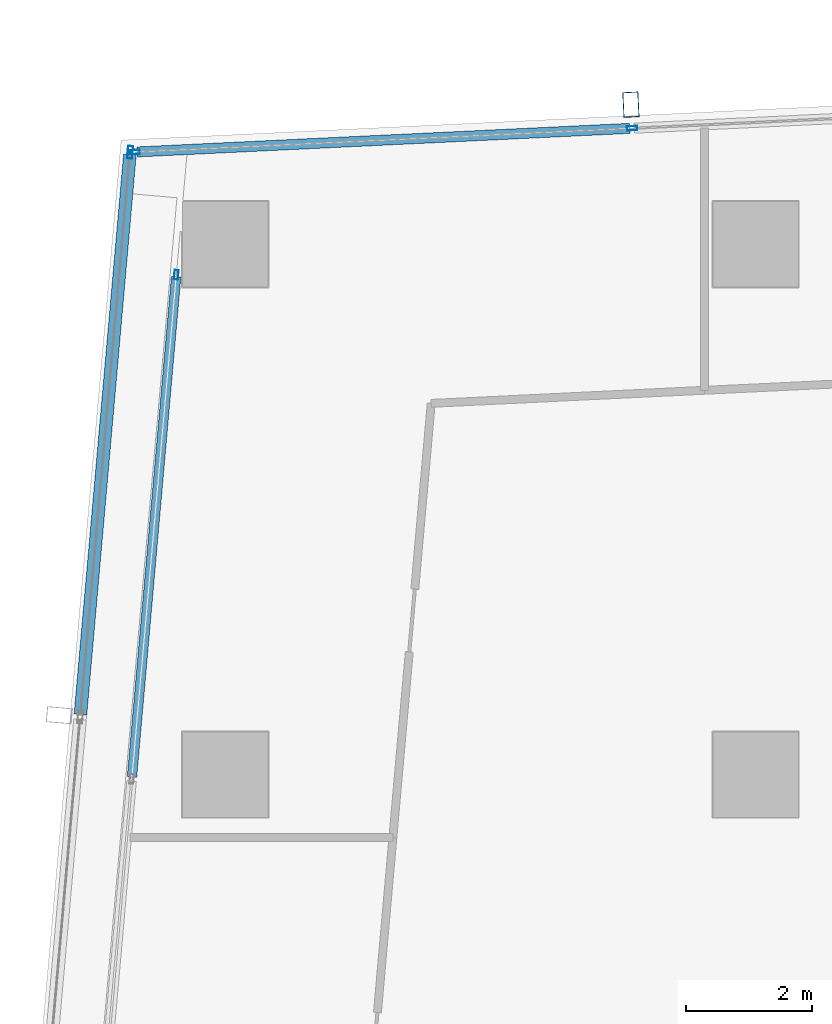
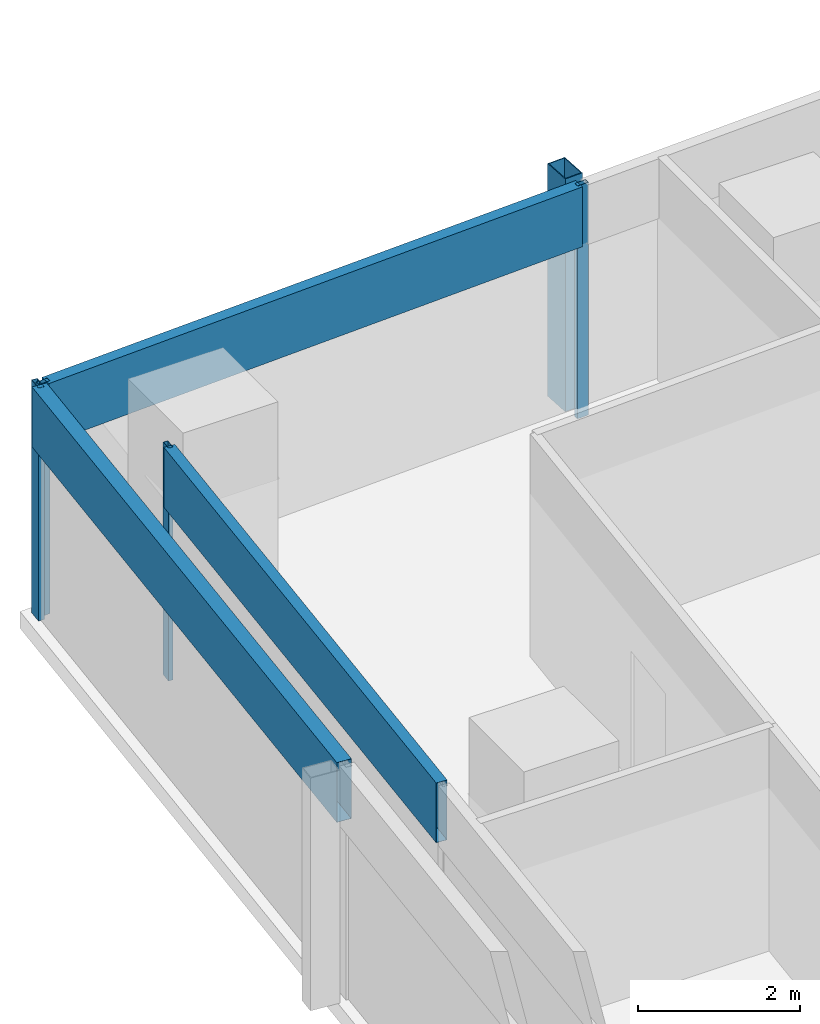
# One storey, part 14 of 33: 8 members, 3 elements without a shape of their own.
"""IFC4 building model written with IfcOpenShell, lengths in metres."""

from ifc_helpers import new_model, si_unit, direction, frame, origin, origin_2d, place, context, subcontext, project, spatial, hollow_rectangle, extrude, material, material_profile, profile_set, type_object, element, aggregate, save


model = new_model("IFC4")

# Units and contexts
model_context = context("Model", 3, precision=1e-05, world=origin(), true_north=direction((0.0, 1.0)))
body_context = subcontext(model_context, "Body", "Model", "MODEL_VIEW")
ifc_project = project(units=[si_unit("LENGTHUNIT", "METRE"), si_unit("AREAUNIT", "SQUARE_METRE"), si_unit("VOLUMEUNIT", "CUBIC_METRE"), si_unit("PLANEANGLEUNIT", "RADIAN"), si_unit("MASSUNIT", "GRAM", prefix="KILO")], contexts=[model_context])

# Site, building, storey
site_placement = place(None, origin())
site = spatial("IfcSite", under=ifc_project, at=site_placement, CompositionType="ELEMENT")
building_placement = place(site_placement, origin())
building = spatial("IfcBuilding", under=site, at=building_placement, Name="Rekha Terrace Tower", CompositionType="ELEMENT")
storey_placement = place(building_placement, frame((0.0, 0.0, 206.449951171875)))
storey = spatial("IfcBuildingStorey", under=building, at=storey_placement, Name="L52", CompositionType="ELEMENT", Elevation=206.449951171875)

# Curtain wall, member
ifc_material_1 = material(Name="Aluminium framing", Category="aluminium")
curtain_wall_type_1 = type_object("IfcCurtainWallType", Name="CW3 north unitised glazing", PredefinedType="USERDEFINED", material=ifc_material_1)
curtain_wall_1_placement = place(storey_placement, origin())
curtain_wall_1 = element("IfcCurtainWall", 1, at=curtain_wall_1_placement, inside=storey, type_object=curtain_wall_type_1, Name="CW3 unitised curtain wall", ObjectType="UNITISED CURTAIN WALL", PredefinedType="USERDEFINED")
ifc_material_2 = material(Name="Steel S355 with fluorocarbon finish", Category="steel")
ifc_material_profile_1 = material_profile(ifc_material_2, hollow_rectangle(XDim=0.25, YDim=0.39990234375, WallThickness=0.012451171875, at=origin_2d()), Name="RHS400x250x12.5")
ifc_profile_set_1 = profile_set([ifc_material_profile_1], Name="Steel S355 with fluorocarbon finish")
member_type_1 = type_object("IfcMemberType", Name="BL1 facade blade RHS 400 x 250", PredefinedType="USERDEFINED", material=ifc_profile_set_1)
member_1_placement = place(storey_placement, frame((14.824951171875, 61.01123046875, 0.0), z_axis=(0.0, 0.0, 1.0), x_axis=(-0.998858913274, -0.04775846913, 0.0)))
member_1 = element("IfcMember", 2, at=member_1_placement, type_object=member_type_1, Name="Facade blade", ObjectType="FACADE BLADE", PredefinedType="USERDEFINED", context=body_context, shape_type="SweptSolid", body=[
    extrude(hollow_rectangle(XDim=0.25, YDim=0.39990234375, WallThickness=0.012451171875, at=origin_2d()), origin(), (0.0, 0.0, 1.0), 3.5),
])

# Curtain wall, members
curtain_wall_type_2 = type_object("IfcCurtainWallType", Name="CW1 double skin inner glazing", PredefinedType="USERDEFINED", material=ifc_material_1)
curtain_wall_2_placement = place(storey_placement, origin())
curtain_wall_2 = element("IfcCurtainWall", 3, at=curtain_wall_2_placement, inside=storey, type_object=curtain_wall_type_2, Name="CW1 double skin inner glazing", ObjectType="DOUBLE SKIN INNER GLAZING", PredefinedType="USERDEFINED")
ifc_material_3 = material(Name="Aluminium mullion section", Category="aluminium")
ifc_material_profile_2 = material_profile(ifc_material_3, hollow_rectangle(XDim=0.06494140625, YDim=0.14990234375, WallThickness=0.00390625, at=origin_2d()), Name="AL RHS 65x150")
ifc_profile_set_2 = profile_set([ifc_material_profile_2], Name="Aluminium mullion section")
member_type_2 = type_object("IfcMemberType", Name="CW1 mullion RHS 65 x 150", PredefinedType="MULLION", material=ifc_profile_set_2)
member_2_placement = place(storey_placement, frame((7.625732421875, 58.316650390625, 0.0), z_axis=(0.0, 0.0, 1.0), x_axis=(0.996124185422, -0.087957985523, 0.0)))
member_2 = element("IfcMember", 4, at=member_2_placement, type_object=member_type_2, Name="CW1 mullion 1", PredefinedType="MULLION", context=body_context, shape_type="SweptSolid", body=[
    extrude(hollow_rectangle(XDim=0.06494140625, YDim=0.14990234375, WallThickness=0.00390625, at=origin_2d()), origin(), (0.0, 0.0, 1.0), 3.5),
])
ifc_material_4 = material(Name="Insulated aluminium spandrel box", Category="aluminium")
ifc_material_profile_3 = material_profile(ifc_material_4, hollow_rectangle(XDim=0.14990234375, YDim=0.89990234375, WallThickness=0.0029296875, at=origin_2d()), Name="AL SPANDREL BOX 150x900")
ifc_profile_set_3 = profile_set([ifc_material_profile_3], Name="Insulated aluminium spandrel box")
member_type_3 = type_object("IfcMemberType", Name="CW1 spandrel transom 150 x 900", PredefinedType="USERDEFINED", material=ifc_profile_set_3)
member_3_placement = place(storey_placement, frame((7.622802734375, 58.2841796875, 3.050048828125), z_axis=(-0.087941305291, -0.996125658149, 0.0), x_axis=(0.996125658149, -0.087941305291, 0.0)))
member_3 = element("IfcMember", 5, at=member_3_placement, type_object=member_type_3, Name="CW1 spandrel transom 1", ObjectType="TRANSOM", PredefinedType="USERDEFINED", context=body_context, shape_type="SweptSolid", body=[
    extrude(hollow_rectangle(XDim=0.14990234375, YDim=0.89990234375, WallThickness=0.0029296875, at=origin_2d()), origin(), (0.0, 0.0, 1.0), 7.950927734375),
])
aggregate(curtain_wall_2, [member_2, member_3])

curtain_wall_type_3 = type_object("IfcCurtainWallType", Name="CW2 double skin outer glazing", PredefinedType="USERDEFINED", material=ifc_material_1)
curtain_wall_3_placement = place(storey_placement, origin())
curtain_wall_3 = element("IfcCurtainWall", 6, at=curtain_wall_3_placement, inside=storey, type_object=curtain_wall_type_3, Name="CW2 double skin outer glazing", ObjectType="DOUBLE SKIN OUTER GLAZING", PredefinedType="USERDEFINED")
ifc_material_profile_4 = material_profile(ifc_material_3, hollow_rectangle(XDim=0.080078125, YDim=0.199951171875, WallThickness=0.00390625, at=origin_2d()), Name="AL RHS 80x200")
ifc_profile_set_4 = profile_set([ifc_material_profile_4], Name="Aluminium mullion section")
member_type_4 = type_object("IfcMemberType", Name="CW2 mullion RHS 80 x 200", PredefinedType="MULLION", material=ifc_profile_set_4)
member_4_placement = place(storey_placement, frame((6.8935546875, 60.257080078125, 0.0), z_axis=(0.0, 0.0, 1.0), x_axis=(0.996124185428, -0.087957985453, 0.0)))
member_4 = element("IfcMember", 7, at=member_4_placement, type_object=member_type_4, Name="CW2 mullion 1", PredefinedType="MULLION", context=body_context, shape_type="SweptSolid", body=[
    extrude(hollow_rectangle(XDim=0.080078125, YDim=0.199951171875, WallThickness=0.00390625, at=origin_2d()), origin(), (0.0, 0.0, 1.0), 3.5),
])
ifc_material_profile_5 = material_profile(ifc_material_4, hollow_rectangle(XDim=0.199951171875, YDim=0.89990234375, WallThickness=0.0029296875, at=origin_2d()), Name="AL SPANDREL BOX 200x900")
ifc_profile_set_5 = profile_set([ifc_material_profile_5], Name="Insulated aluminium spandrel box")
member_type_5 = type_object("IfcMemberType", Name="CW2 spandrel transom 200 x 900", PredefinedType="USERDEFINED", material=ifc_profile_set_5)
member_5_placement = place(storey_placement, frame((6.89013671875, 60.217041015625, 3.050048828125), z_axis=(-0.08797787529, -0.996122428951, 0.0), x_axis=(0.996122428951, -0.08797787529, 0.0)))
member_5 = element("IfcMember", 8, at=member_5_placement, type_object=member_type_5, Name="CW2 spandrel transom 1", ObjectType="TRANSOM", PredefinedType="USERDEFINED", context=body_context, shape_type="SweptSolid", body=[
    extrude(hollow_rectangle(XDim=0.199951171875, YDim=0.89990234375, WallThickness=0.0029296875, at=origin_2d()), origin(), (0.0, 0.0, 1.0), 8.8994140625),
])
aggregate(curtain_wall_3, [member_4, member_5])

# Member
ifc_material_profile_6 = material_profile(ifc_material_3, hollow_rectangle(XDim=0.070068359375, YDim=0.159912109375, WallThickness=0.00390625, at=origin_2d()), Name="AL RHS 70x160")
ifc_profile_set_6 = profile_set([ifc_material_profile_6], Name="Aluminium mullion section")
member_type_6 = type_object("IfcMemberType", Name="CW3 mullion RHS 70 x 160", PredefinedType="MULLION", material=ifc_profile_set_6)
member_6_placement = place(storey_placement, frame((14.843017578125, 60.63671875, 0.0), z_axis=(0.0, 0.0, 1.0), x_axis=(0.047758616983, -0.998858906204, 0.0)))
member_6 = element("IfcMember", 9, at=member_6_placement, type_object=member_type_6, Name="CW3 mullion 5", PredefinedType="MULLION", context=body_context, shape_type="SweptSolid", body=[
    extrude(hollow_rectangle(XDim=0.070068359375, YDim=0.159912109375, WallThickness=0.00390625, at=origin_2d()), origin(), (0.0, 0.0, 1.0), 3.5),
])

member_7_placement = place(storey_placement, frame((6.96875, 60.26025390625, 0.0), z_axis=(0.0, 0.0, 1.0), x_axis=(0.047758616983, -0.998858906204, 0.0)))
member_7 = element("IfcMember", 10, at=member_7_placement, type_object=member_type_6, Name="CW3 mullion 6", PredefinedType="MULLION", context=body_context, shape_type="SweptSolid", body=[
    extrude(hollow_rectangle(XDim=0.070068359375, YDim=0.159912109375, WallThickness=0.00390625, at=origin_2d()), origin(), (0.0, 0.0, 1.0), 3.5),
])

ifc_material_profile_7 = material_profile(ifc_material_4, hollow_rectangle(XDim=0.159912109375, YDim=0.89990234375, WallThickness=0.0029296875, at=origin_2d()), Name="AL SPANDREL BOX 160x900")
ifc_profile_set_7 = profile_set([ifc_material_profile_7], Name="Insulated aluminium spandrel box")
member_type_7 = type_object("IfcMemberType", Name="CW3 spandrel transom 160 x 900", PredefinedType="USERDEFINED", material=ifc_profile_set_7)
member_8_placement = place(storey_placement, frame((14.807861328125, 60.635009765625, 3.050048828125), z_axis=(-0.998859425172, -0.047747761666, 0.0), x_axis=(0.047747761666, -0.998859425172, 0.0)))
member_8 = element("IfcMember", 11, at=member_8_placement, type_object=member_type_7, Name="CW3 spandrel transom 5", ObjectType="TRANSOM", PredefinedType="USERDEFINED", context=body_context, shape_type="SweptSolid", body=[
    extrude(hollow_rectangle(XDim=0.159912109375, YDim=0.89990234375, WallThickness=0.0029296875, at=origin_2d()), origin(), (0.0, 0.0, 1.0), 7.81298828125),
])

aggregate(curtain_wall_1, [member_6, member_7, member_8, member_1])

save(model, "model.ifc")
